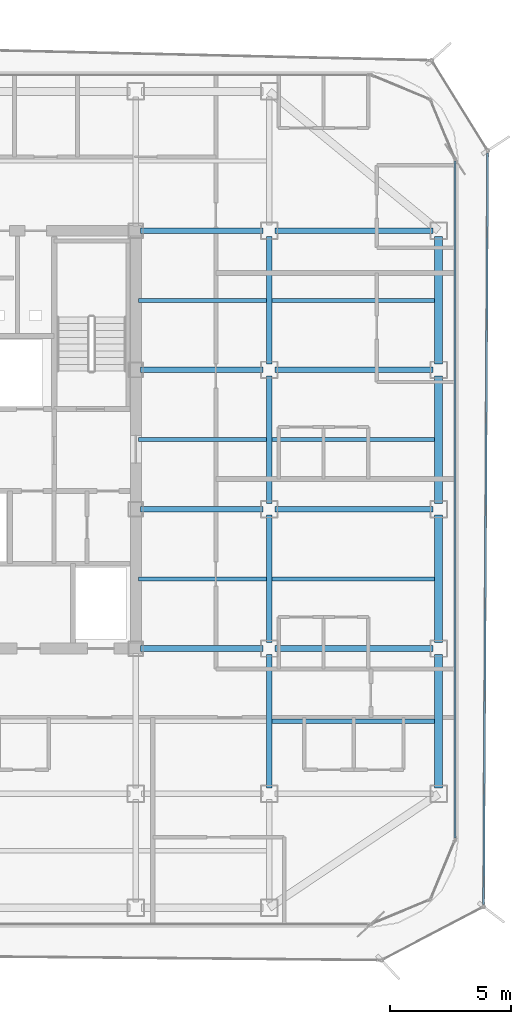
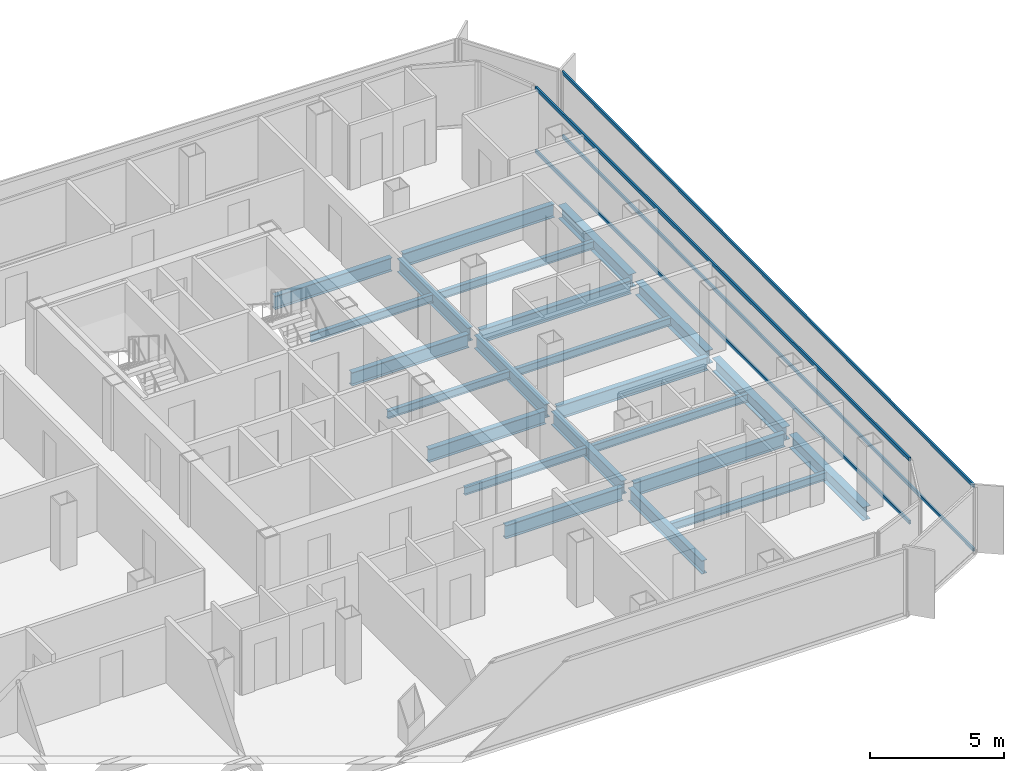
# One storey, part 5 of 16: 23 beams, 4 members, 2 elements without a shape of their own.
"""IFC4 building model written with IfcOpenShell, lengths in metres."""

from ifc_helpers import new_model, si_unit, direction, frame, origin, origin_2d, place, context, subcontext, project, spatial, hollow_rectangle, i_section, extrude, source, transform, mapped, material, layer, layer_set, material_profile, profile_set, type_object, element, aggregate, save


model = new_model("IFC4")

# Units and contexts
model_context = context("Model", 3, precision=1e-05, world=origin(), true_north=direction((0.0, 1.0)))
body_context = subcontext(model_context, "Body", "Model", "MODEL_VIEW")
ifc_project = project(units=[si_unit("LENGTHUNIT", "METRE"), si_unit("AREAUNIT", "SQUARE_METRE"), si_unit("VOLUMEUNIT", "CUBIC_METRE"), si_unit("PLANEANGLEUNIT", "RADIAN"), si_unit("MASSUNIT", "GRAM", prefix="KILO")], contexts=[model_context])

# Site, building, storey
site_placement = place(None, origin())
site = spatial("IfcSite", under=ifc_project, at=site_placement, CompositionType="ELEMENT")
building_placement = place(site_placement, origin())
building = spatial("IfcBuilding", under=site, at=building_placement, Name="Kolveth Station Tower", CompositionType="ELEMENT")
storey_placement = place(building_placement, frame((0.0, 0.0, 162.5)))
storey = spatial("IfcBuildingStorey", under=building, at=storey_placement, Name="L45", CompositionType="ELEMENT", Elevation=162.5)

# Beams
ifc_material_1 = material(Name="Steel S355", Category="steel")
ifc_material_profile_1 = material_profile(ifc_material_1, i_section(OverallWidth=0.323974609375, OverallDepth=0.611083984375, WebThickness=0.0126953125, FlangeThickness=0.01904296875, at=origin_2d()), Name="W610x155")
ifc_profile_set_1 = profile_set([ifc_material_profile_1], Name="Steel S355")
beam_type_1 = type_object("IfcBeamType", Name="Beam_SP2", PredefinedType="SPANDREL", material=ifc_profile_set_1)
shared_shape_1 = source(origin(), body_context, "Body", "SweptSolid", [
    extrude(i_section(OverallWidth=0.323974609375, OverallDepth=0.611083984375, WebThickness=0.0126953125, FlangeThickness=0.01904296875, at=origin_2d()), origin(), (0.0, 0.0, 1.0), 5.52001953125),
])
beam_1_placement = place(storey_placement, frame((41.0, 5.739990234375, -0.555419921875), z_axis=(0.0, 1.0, 0.0), x_axis=(-1.0, 0.0, 0.0)))
element("IfcBeam", 1, at=beam_1_placement, inside=storey, type_object=beam_type_1, Name="L45 Perimeter Spandrel BM-L45-PE-1", PredefinedType="SPANDREL", context=body_context, shape_type="MappedRepresentation", body=[
    mapped(shared_shape_1, transform((0.0, 0.0, 0.0), x_axis=(1.0, 0.0, 0.0), y_axis=(0.0, 1.0, 0.0), z_axis=(0.0, 0.0, 1.0), scale=1.0)),
])
shared_shape_2 = source(origin(), body_context, "Body", "SweptSolid", [
    extrude(i_section(OverallWidth=0.323974609375, OverallDepth=0.611083984375, WebThickness=0.0126953125, FlangeThickness=0.01904296875, at=origin_2d()), origin(), (0.0, 0.0, 1.0), 5.27001953125),
])
for number, where, z_axis, x_axis, name in (
    (2, (41.0, 11.739990234375, -0.555419921875), (0.0, 1.0, 0.0), (-1.0, 0.0, 0.0), "L45 Perimeter Spandrel BM-L45-PE-2"),
    (3, (41.0, 17.489990234375, -0.555419921875), (0.0, 1.0, 0.0), (-1.0, 0.0, 0.0), "L45 Perimeter Spandrel BM-L45-PE-3"),
    (4, (41.0, 23.239990234375, -0.555419921875), (0.0, 1.0, 0.0), (-1.0, 0.0, 0.0), "L45 Perimeter Spandrel BM-L45-PE-4"),
):
    element("IfcBeam", number, at=place(storey_placement, frame(where, z_axis=z_axis, x_axis=x_axis)), inside=storey, type_object=beam_type_1, Name=name, PredefinedType="SPANDREL", context=body_context, shape_type="MappedRepresentation", body=[
        mapped(shared_shape_2, transform((0.0, 0.0, 0.0), x_axis=(1.0, 0.0, 0.0), y_axis=(0.0, 1.0, 0.0), z_axis=(0.0, 0.0, 1.0), scale=1.0)),
    ])
ifc_material_profile_2 = material_profile(ifc_material_1, i_section(OverallWidth=0.22900390625, OverallDepth=0.612060546875, WebThickness=0.011962890625, FlangeThickness=0.01953125, at=origin_2d()), Name="W610x125")
ifc_profile_set_2 = profile_set([ifc_material_profile_2], Name="Steel S355")
beam_type_2 = type_object("IfcBeamType", Name="Beam_B5", PredefinedType="BEAM", material=ifc_profile_set_2)
shared_shape_3 = source(origin(), body_context, "Body", "SweptSolid", [
    extrude(i_section(OverallWidth=0.22900390625, OverallDepth=0.612060546875, WebThickness=0.011962890625, FlangeThickness=0.01953125, at=origin_2d()), origin(), (0.0, 0.0, 1.0), 6.52001953125),
])
for number, where, z_axis, x_axis, name in (
    (5, (34.239990234375, 11.5, -0.555908203125), (1.0, 0.0, 0.0), (0.0, 1.0, 0.0), "L45 Primary Girder BM-L45-GY115-6"),
    (6, (34.239990234375, 17.25, -0.555908203125), (1.0, 0.0, 0.0), (0.0, 1.0, 0.0), "L45 Primary Girder BM-L45-GY172-6"),
    (7, (34.239990234375, 23.0, -0.555908203125), (1.0, 0.0, 0.0), (0.0, 1.0, 0.0), "L45 Primary Girder BM-L45-GY230-6"),
    (8, (34.239990234375, 28.75, -0.555908203125), (1.0, 0.0, 0.0), (0.0, 1.0, 0.0), "L45 Primary Girder BM-L45-GY287-6"),
):
    element("IfcBeam", number, at=place(storey_placement, frame(where, z_axis=z_axis, x_axis=x_axis)), inside=storey, type_object=beam_type_2, Name=name, PredefinedType="BEAM", context=body_context, shape_type="MappedRepresentation", body=[
        mapped(shared_shape_3, transform((0.0, 0.0, 0.0), x_axis=(1.0, 0.0, 0.0), y_axis=(0.0, 1.0, 0.0), z_axis=(0.0, 0.0, 1.0), scale=1.0)),
    ])
shared_shape_4 = source(origin(), body_context, "Body", "SweptSolid", [
    extrude(i_section(OverallWidth=0.22900390625, OverallDepth=0.612060546875, WebThickness=0.011962890625, FlangeThickness=0.01953125, at=origin_2d()), origin(), (0.0, 0.0, 1.0), 5.06005859375),
])
for number, where, z_axis, x_axis, name in (
    (9, (28.699951171875, 11.5, -0.555908203125), (1.0, 0.0, 0.0), (0.0, 1.0, 0.0), "L45 Primary Girder BM-L45-GY115-5"),
    (10, (28.699951171875, 17.25, -0.555908203125), (1.0, 0.0, 0.0), (0.0, 1.0, 0.0), "L45 Primary Girder BM-L45-GY172-5"),
    (11, (28.699951171875, 23.0, -0.555908203125), (1.0, 0.0, 0.0), (0.0, 1.0, 0.0), "L45 Primary Girder BM-L45-GY230-5"),
    (12, (28.699951171875, 28.75, -0.555908203125), (1.0, 0.0, 0.0), (0.0, 1.0, 0.0), "L45 Primary Girder BM-L45-GY287-5"),
):
    element("IfcBeam", number, at=place(storey_placement, frame(where, z_axis=z_axis, x_axis=x_axis)), inside=storey, type_object=beam_type_2, Name=name, PredefinedType="BEAM", context=body_context, shape_type="MappedRepresentation", body=[
        mapped(shared_shape_4, transform((0.0, 0.0, 0.0), x_axis=(1.0, 0.0, 0.0), y_axis=(0.0, 1.0, 0.0), z_axis=(0.0, 0.0, 1.0), scale=1.0)),
    ])
shared_shape_5 = source(origin(), body_context, "Body", "SweptSolid", [
    extrude(i_section(OverallWidth=0.22900390625, OverallDepth=0.612060546875, WebThickness=0.011962890625, FlangeThickness=0.01953125, at=origin_2d()), origin(), (0.0, 0.0, 1.0), 5.52001953125),
])
beam_2_placement = place(storey_placement, frame((34.0, 5.739990234375, -0.555908203125), z_axis=(0.0, 1.0, 0.0), x_axis=(-1.0, 0.0, 0.0)))
element("IfcBeam", 13, at=beam_2_placement, inside=storey, type_object=beam_type_2, Name="L45 Primary Girder BM-L45-GX340-2", PredefinedType="BEAM", context=body_context, shape_type="MappedRepresentation", body=[
    mapped(shared_shape_5, transform((0.0, 0.0, 0.0), x_axis=(1.0, 0.0, 0.0), y_axis=(0.0, 1.0, 0.0), z_axis=(0.0, 0.0, 1.0), scale=1.0)),
])
shared_shape_6 = source(origin(), body_context, "Body", "SweptSolid", [
    extrude(i_section(OverallWidth=0.22900390625, OverallDepth=0.612060546875, WebThickness=0.011962890625, FlangeThickness=0.01953125, at=origin_2d()), origin(), (0.0, 0.0, 1.0), 5.27001953125),
])
for number, where, z_axis, x_axis, name in (
    (14, (34.0, 11.739990234375, -0.555908203125), (0.0, 1.0, 0.0), (-1.0, 0.0, 0.0), "L45 Primary Girder BM-L45-GX340-3"),
    (15, (34.0, 17.489990234375, -0.555908203125), (0.0, 1.0, 0.0), (-1.0, 0.0, 0.0), "L45 Primary Girder BM-L45-GX340-4"),
    (16, (34.0, 23.239990234375, -0.555908203125), (0.0, 1.0, 0.0), (-1.0, 0.0, 0.0), "L45 Primary Girder BM-L45-GX340-5"),
):
    element("IfcBeam", number, at=place(storey_placement, frame(where, z_axis=z_axis, x_axis=x_axis)), inside=storey, type_object=beam_type_2, Name=name, PredefinedType="BEAM", context=body_context, shape_type="MappedRepresentation", body=[
        mapped(shared_shape_6, transform((0.0, 0.0, 0.0), x_axis=(1.0, 0.0, 0.0), y_axis=(0.0, 1.0, 0.0), z_axis=(0.0, 0.0, 1.0), scale=1.0)),
    ])
ifc_material_profile_3 = material_profile(ifc_material_1, i_section(OverallWidth=0.1708984375, OverallDepth=0.35205078125, WebThickness=0.0068359375, FlangeThickness=0.009765625, at=origin_2d()), Name="W360x44")
ifc_profile_set_3 = profile_set([ifc_material_profile_3], Name="Steel S355")
beam_type_3 = type_object("IfcBeamType", Name="Beam_J2", PredefinedType="JOIST", material=ifc_profile_set_3)
shared_shape_7 = source(origin(), body_context, "Body", "SweptSolid", [
    extrude(i_section(OverallWidth=0.1708984375, OverallDepth=0.35205078125, WebThickness=0.0068359375, FlangeThickness=0.009765625, at=origin_2d()), origin(), (0.0, 0.0, 1.0), 5.27490234375),
])
for number, where, z_axis, x_axis, name in (
    (17, (28.612548828125, 14.375, -0.426025390625), (1.0, 0.0, 0.0), (0.0, 1.0, 0.0), "L45 Secondary Joist JST-L45-5-3"),
    (18, (28.612548828125, 20.125, -0.426025390625), (1.0, 0.0, 0.0), (0.0, 1.0, 0.0), "L45 Secondary Joist JST-L45-5-4"),
    (19, (28.612548828125, 25.875, -0.426025390625), (1.0, 0.0, 0.0), (0.0, 1.0, 0.0), "L45 Secondary Joist JST-L45-5-5"),
):
    element("IfcBeam", number, at=place(storey_placement, frame(where, z_axis=z_axis, x_axis=x_axis)), inside=storey, type_object=beam_type_3, Name=name, PredefinedType="JOIST", context=body_context, shape_type="MappedRepresentation", body=[
        mapped(shared_shape_7, transform((0.0, 0.0, 0.0), x_axis=(1.0, 0.0, 0.0), y_axis=(0.0, 1.0, 0.0), z_axis=(0.0, 0.0, 1.0), scale=1.0)),
    ])
shared_shape_8 = source(origin(), body_context, "Body", "SweptSolid", [
    extrude(i_section(OverallWidth=0.1708984375, OverallDepth=0.35205078125, WebThickness=0.0068359375, FlangeThickness=0.009765625, at=origin_2d()), origin(), (0.0, 0.0, 1.0), 6.7275390625),
])
for number, where, z_axis, x_axis, name in (
    (20, (34.112548828125, 8.5, -0.426025390625), (1.0, 0.0, 0.0), (0.0, 1.0, 0.0), "L45 Secondary Joist JST-L45-6-2"),
    (21, (34.112548828125, 14.375, -0.426025390625), (1.0, 0.0, 0.0), (0.0, 1.0, 0.0), "L45 Secondary Joist JST-L45-6-3"),
    (22, (34.112548828125, 20.125, -0.426025390625), (1.0, 0.0, 0.0), (0.0, 1.0, 0.0), "L45 Secondary Joist JST-L45-6-4"),
    (23, (34.112548828125, 25.875, -0.426025390625), (1.0, 0.0, 0.0), (0.0, 1.0, 0.0), "L45 Secondary Joist JST-L45-6-5"),
):
    element("IfcBeam", number, at=place(storey_placement, frame(where, z_axis=z_axis, x_axis=x_axis)), inside=storey, type_object=beam_type_3, Name=name, PredefinedType="JOIST", context=body_context, shape_type="MappedRepresentation", body=[
        mapped(shared_shape_8, transform((0.0, 0.0, 0.0), x_axis=(1.0, 0.0, 0.0), y_axis=(0.0, 1.0, 0.0), z_axis=(0.0, 0.0, 1.0), scale=1.0)),
    ])

# Curtain wall, members
ifc_material_2 = material(Name="Aluminium 6063-T6 and low-E dark glass", Category="aluminium")
ifc_layer_1 = layer(ifc_material_2, 0.18994140625)
ifc_layer_set_1 = layer_set([ifc_layer_1], Name="Aluminium 6063-T6 and low-E dark glass")
curtain_wall_type_1 = type_object("IfcCurtainWallType", Name="CurtainWall_CW-Z2", PredefinedType="NOTDEFINED", material=ifc_layer_set_1)
curtain_wall_1_placement = place(storey_placement, origin())
curtain_wall_1 = element("IfcCurtainWall", 24, at=curtain_wall_1_placement, inside=storey, type_object=curtain_wall_type_1, Name="L45 Inner Thermal Curtain Wall 3", PredefinedType="NOTDEFINED")
ifc_material_3 = material(Name="Black anodized aluminium 6063-T6", Category="aluminium")
ifc_material_profile_4 = material_profile(ifc_material_3, hollow_rectangle(XDim=0.080078125, YDim=0.169921875, WallThickness=0.0048828125, at=origin_2d()), Name="ALU-80x170x5")
ifc_profile_set_4 = profile_set([ifc_material_profile_4], Name="Black anodized aluminium 6063-T6")
member_type_1 = type_object("IfcMemberType", Name="Transom_TR2", PredefinedType="USERDEFINED", material=ifc_profile_set_4)
shared_shape_9 = source(origin(), body_context, "Body", "SweptSolid", [
    extrude(hollow_rectangle(XDim=0.080078125, YDim=0.169921875, WallThickness=0.0048828125, at=origin_2d()), origin(), (0.0, 0.0, 1.0), 27.940185546875),
])
member_1_placement = place(storey_placement, frame((41.679931640625, 3.679931640625, 0.0400390625), z_axis=(0.0, 1.0, 0.0), x_axis=(-1.0, 0.0, 0.0)))
member_1 = element("IfcMember", 25, at=member_1_placement, type_object=member_type_1, Name="CW-Z2 transom 1.1", ObjectType="TRANSOM", PredefinedType="USERDEFINED", context=body_context, shape_type="MappedRepresentation", body=[
    mapped(shared_shape_9, transform((0.0, 0.0, 0.0), x_axis=(1.0, 0.0, 0.0), y_axis=(0.0, 1.0, 0.0), z_axis=(0.0, 0.0, 1.0), scale=1.0)),
])
member_2_placement = place(storey_placement, frame((41.679931640625, 3.679931640625, 2.909912109375), z_axis=(0.0, 1.0, 0.0), x_axis=(-1.0, 0.0, 0.0)))
member_2 = element("IfcMember", 26, at=member_2_placement, type_object=member_type_1, Name="CW-Z2 transom 1.2", ObjectType="TRANSOM", PredefinedType="USERDEFINED", context=body_context, shape_type="MappedRepresentation", body=[
    mapped(shared_shape_9, transform((0.0, 0.0, 0.0), x_axis=(1.0, 0.0, 0.0), y_axis=(0.0, 1.0, 0.0), z_axis=(0.0, 0.0, 1.0), scale=1.0)),
])
aggregate(curtain_wall_1, [member_1, member_2])

ifc_material_4 = material(Name="Black anodized aluminium 6063-T6 and dark solar glass", Category="aluminium")
ifc_layer_2 = layer(ifc_material_4, 0.159912109375)
ifc_layer_set_2 = layer_set([ifc_layer_2], Name="Black anodized aluminium 6063-T6 and dark solar glass")
curtain_wall_type_2 = type_object("IfcCurtainWallType", Name="OUTER SKIN CW-OS", PredefinedType="NOTDEFINED", material=ifc_layer_set_2)
curtain_wall_2_placement = place(storey_placement, origin())
curtain_wall_2 = element("IfcCurtainWall", 27, at=curtain_wall_2_placement, inside=storey, type_object=curtain_wall_type_2, Name="L45 Outer Ventilated Skin Curtain Wall 2", PredefinedType="NOTDEFINED")
ifc_material_profile_5 = material_profile(ifc_material_3, hollow_rectangle(XDim=0.080078125, YDim=0.14990234375, WallThickness=0.0048828125, at=origin_2d()), Name="ALU-80x150x5")
ifc_profile_set_5 = profile_set([ifc_material_profile_5], Name="Black anodized aluminium 6063-T6")
member_type_2 = type_object("IfcMemberType", Name="Transom_TR-OS", PredefinedType="USERDEFINED", material=ifc_profile_set_5)
shared_shape_10 = source(origin(), body_context, "Body", "SweptSolid", [
    extrude(hollow_rectangle(XDim=0.080078125, YDim=0.14990234375, WallThickness=0.0048828125, at=origin_2d()), origin(), (0.0, 0.0, 1.0), 31.03466796875),
])
member_3_placement = place(storey_placement, frame((42.85888671875, 0.93310546875, 0.0400390625), z_axis=(0.005388700513, 0.999985480848, 0.0), x_axis=(-0.999985480848, 0.005388700513, 0.0)))
member_3 = element("IfcMember", 28, at=member_3_placement, type_object=member_type_2, Name="CW-OS transom 1.1", ObjectType="TRANSOM", PredefinedType="USERDEFINED", context=body_context, shape_type="MappedRepresentation", body=[
    mapped(shared_shape_10, transform((0.0, 0.0, 0.0), x_axis=(1.0, 0.0, 0.0), y_axis=(0.0, 1.0, 0.0), z_axis=(0.0, 0.0, 1.0), scale=1.0)),
])
member_4_placement = place(storey_placement, frame((42.85888671875, 0.93310546875, 2.949951171875), z_axis=(0.005388700513, 0.999985480848, 0.0), x_axis=(-0.999985480848, 0.005388700513, 0.0)))
member_4 = element("IfcMember", 29, at=member_4_placement, type_object=member_type_2, Name="CW-OS transom 1.2", ObjectType="TRANSOM", PredefinedType="USERDEFINED", context=body_context, shape_type="MappedRepresentation", body=[
    mapped(shared_shape_10, transform((0.0, 0.0, 0.0), x_axis=(1.0, 0.0, 0.0), y_axis=(0.0, 1.0, 0.0), z_axis=(0.0, 0.0, 1.0), scale=1.0)),
])
aggregate(curtain_wall_2, [member_3, member_4])

save(model, "model.ifc")
